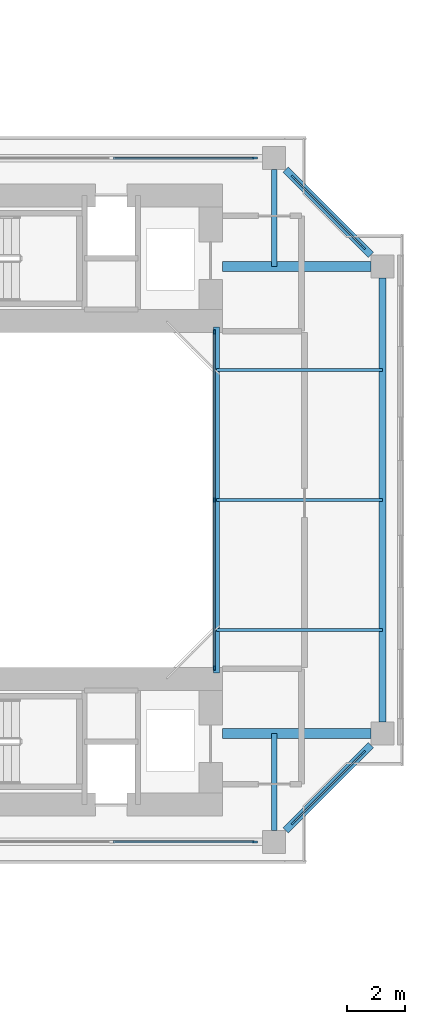
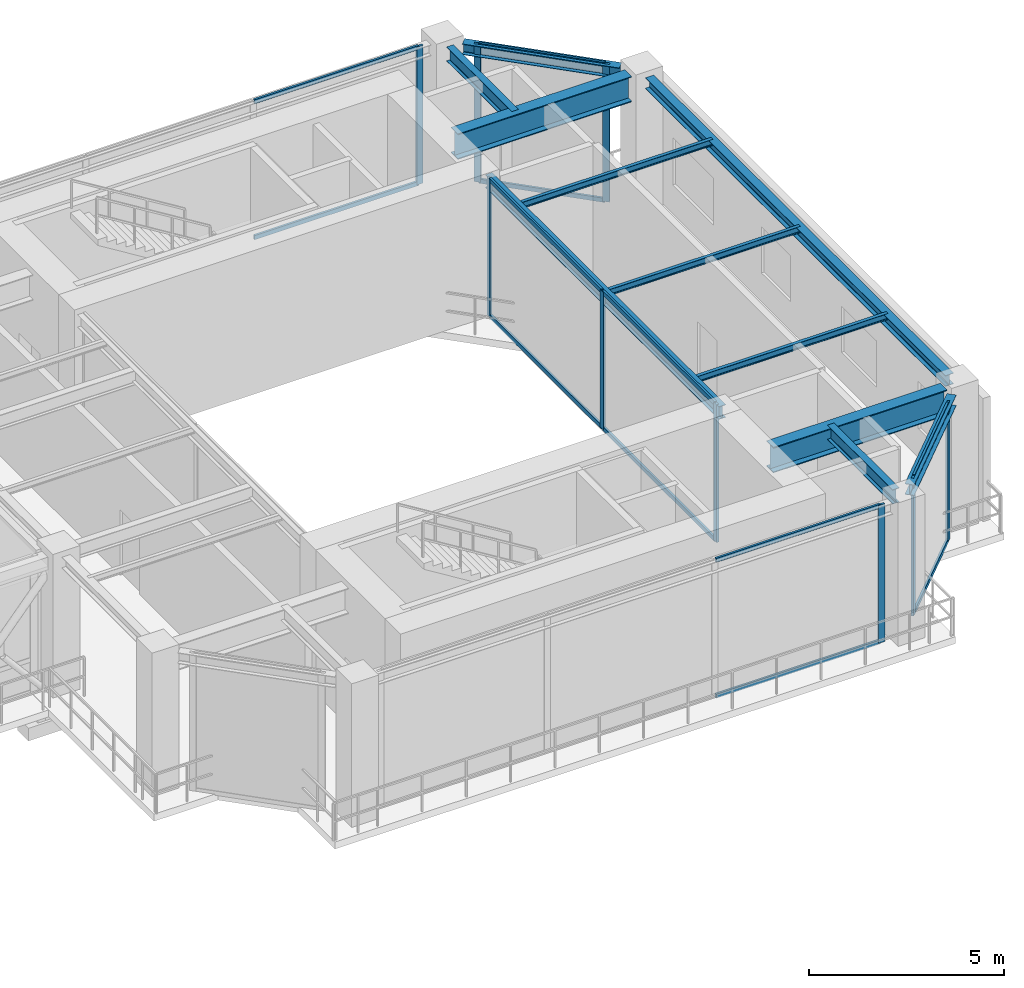
# One storey, part 10 of 25: 21 members, 11 beams, 5 elements without a shape of their own.
"""IFC4 building model written with IfcOpenShell, lengths in metres."""

from ifc_helpers import new_model, si_unit, direction, frame, origin, origin_2d, place, context, subcontext, project, spatial, rectangle, i_section, extrude, source, transform, mapped, material, layer, layer_set, material_profile, profile_set, type_object, element, aggregate, save


model = new_model("IFC4")

# Units and contexts
model_context = context("Model", 3, precision=1e-05, world=origin(), true_north=direction((0.0, 1.0)))
body_context = subcontext(model_context, "Body", "Model", "MODEL_VIEW")
ifc_project = project(units=[si_unit("LENGTHUNIT", "METRE"), si_unit("AREAUNIT", "SQUARE_METRE"), si_unit("VOLUMEUNIT", "CUBIC_METRE"), si_unit("PLANEANGLEUNIT", "RADIAN"), si_unit("MASSUNIT", "GRAM", prefix="KILO"), si_unit("THERMODYNAMICTEMPERATUREUNIT", "KELVIN"), si_unit("POWERUNIT", "WATT")], contexts=[model_context])

# Site, building, storey
site_placement = place(None, origin())
site = spatial("IfcSite", under=ifc_project, at=site_placement, CompositionType="ELEMENT")
building_placement = place(site_placement, origin())
building = spatial("IfcBuilding", under=site, at=building_placement, Name="Qiaomeng Ring Towers", CompositionType="ELEMENT")
storey_placement = place(building_placement, frame((0.0, 0.0, 92.5)))
storey = spatial("IfcBuildingStorey", under=building, at=storey_placement, Name="L26", CompositionType="ELEMENT", Elevation=92.5)

# Beams
ifc_material_1 = material(Name="Steel Q355B", Category="steel")
ifc_material_profile_1 = material_profile(ifc_material_1, i_section(OverallWidth=0.199951171875, OverallDepth=0.39990234375, WebThickness=0.008056640625, FlangeThickness=0.012939453125, FilletRadius=0.01611328125, at=origin_2d()), Name="HN 400x200x8x13")
ifc_profile_set_1 = profile_set([ifc_material_profile_1], Name="Steel Q355B")
beam_type_1 = type_object("IfcBeamType", Name="STR-BM-HN400", PredefinedType="SPANDREL", material=ifc_profile_set_1)
shared_shape_1 = source(origin(), body_context, "Body", "SweptSolid", [
    extrude(i_section(OverallWidth=0.199951171875, OverallDepth=0.39990234375, WebThickness=0.008056640625, FlangeThickness=0.012939453125, FilletRadius=0.01611328125, at=origin_2d()), origin(), (0.0, 0.0, 1.0), 12.0),
])
beam_1_placement = place(storey_placement, frame((66.60009765625, 17.0, 4.1201171875), z_axis=(0.0, 1.0, 0.0), x_axis=(-1.0, 0.0, 0.0)))
element("IfcBeam", 1, at=beam_1_placement, inside=storey, type_object=beam_type_1, Name="L26 beam STR-BM-L26-T2-WELL-E", PredefinedType="SPANDREL", context=body_context, shape_type="MappedRepresentation", body=[
    mapped(shared_shape_1, transform((0.0, 0.0, 0.0), x_axis=(1.0, 0.0, 0.0), y_axis=(0.0, 1.0, 0.0), z_axis=(0.0, 0.0, 1.0), scale=1.0)),
])
ifc_material_profile_2 = material_profile(ifc_material_1, i_section(OverallWidth=0.25, OverallDepth=0.340087890625, WebThickness=0.009033203125, FlangeThickness=0.013916015625, FilletRadius=0.02001953125, at=origin_2d()), Name="HM 340x250x9x14")
ifc_profile_set_2 = profile_set([ifc_material_profile_2], Name="Steel Q355B")
beam_type_2 = type_object("IfcBeamType", Name="STR-BM-HM340", PredefinedType="SPANDREL", material=ifc_profile_set_2)
shared_shape_2 = source(origin(), body_context, "Body", "SweptSolid", [
    extrude(i_section(OverallWidth=0.25, OverallDepth=0.340087890625, WebThickness=0.009033203125, FlangeThickness=0.013916015625, FilletRadius=0.02001953125, at=origin_2d()), origin(), (0.0, 0.0, 1.0), 15.40185546875),
])
beam_2_placement = place(storey_placement, frame((72.35009765625, 15.299072265625, 4.14990234375), z_axis=(0.0, 1.0, 0.0), x_axis=(-1.0, 0.0, 0.0)))
element("IfcBeam", 2, at=beam_2_placement, inside=storey, type_object=beam_type_2, Name="L26 beam STR-SP-L26-T2-E1-E2", PredefinedType="SPANDREL", context=body_context, shape_type="MappedRepresentation", body=[
    mapped(shared_shape_2, transform((0.0, 0.0, 0.0), x_axis=(1.0, 0.0, 0.0), y_axis=(0.0, 1.0, 0.0), z_axis=(0.0, 0.0, 1.0), scale=1.0)),
])
shared_shape_3 = source(origin(), body_context, "Body", "SweptSolid", [
    extrude(i_section(OverallWidth=0.25, OverallDepth=0.340087890625, WebThickness=0.009033203125, FlangeThickness=0.013916015625, FilletRadius=0.02001953125, at=origin_2d()), origin(), (0.0, 0.0, 1.0), 4.173828125),
])
for number, where, z_axis, x_axis, name in (
    (3, (68.999267578125, 11.54931640625, 4.14990234375), (0.707106781187, 0.707106781187, 0.0), (-0.707106781187, 0.707106781187, 0.0), "L26 beam STR-SP-L26-T2-S2-E1"),
    (4, (71.95068359375, 31.499267578125, 4.14990234375), (-0.707106781187, 0.707106781187, 0.0), (-0.707106781187, -0.707106781187, 0.0), "L26 beam STR-SP-L26-T2-E2-N2"),
):
    element("IfcBeam", number, at=place(storey_placement, frame(where, z_axis=z_axis, x_axis=x_axis)), inside=storey, type_object=beam_type_2, Name=name, PredefinedType="SPANDREL", context=body_context, shape_type="MappedRepresentation", body=[
        mapped(shared_shape_3, transform((0.0, 0.0, 0.0), x_axis=(1.0, 0.0, 0.0), y_axis=(0.0, 1.0, 0.0), z_axis=(0.0, 0.0, 1.0), scale=1.0)),
    ])
ifc_material_2 = material(Name="Steel Q390GJC", Category="steel")
ifc_material_profile_3 = material_profile(ifc_material_2, i_section(OverallWidth=0.35009765625, OverallDepth=0.800048828125, WebThickness=0.01611328125, FlangeThickness=0.028076171875, at=origin_2d()), Name="WH 800x350x16x28")
ifc_profile_set_3 = profile_set([ifc_material_profile_3], Name="Steel Q390GJC")
beam_type_3 = type_object("IfcBeamType", Name="STR-BM-WH800", PredefinedType="BEAM", material=ifc_profile_set_3)
shared_shape_4 = source(origin(), body_context, "Body", "SweptSolid", [
    extrude(i_section(OverallWidth=0.35009765625, OverallDepth=0.800048828125, WebThickness=0.01611328125, FlangeThickness=0.028076171875, at=origin_2d()), origin(), (0.0, 0.0, 1.0), 5.15087890625),
])
for number, where, z_axis, x_axis, name in (
    (5, (66.800048828125, 14.89990234375, 3.919921875), (1.0, 0.0, 0.0), (0.0, 1.0, 0.0), "L26 beam STR-BM-L26-T2-RAD-E1"),
    (6, (66.800048828125, 31.10009765625, 3.919921875), (1.0, 0.0, 0.0), (0.0, 1.0, 0.0), "L26 beam STR-BM-L26-T2-RAD-E2"),
):
    element("IfcBeam", number, at=place(storey_placement, frame(where, z_axis=z_axis, x_axis=x_axis)), inside=storey, type_object=beam_type_3, Name=name, PredefinedType="BEAM", context=body_context, shape_type="MappedRepresentation", body=[
        mapped(shared_shape_4, transform((0.0, 0.0, 0.0), x_axis=(1.0, 0.0, 0.0), y_axis=(0.0, 1.0, 0.0), z_axis=(0.0, 0.0, 1.0), scale=1.0)),
    ])
ifc_material_profile_4 = material_profile(ifc_material_1, i_section(OverallWidth=0.199951171875, OverallDepth=0.449951171875, WebThickness=0.009033203125, FlangeThickness=0.013916015625, FilletRadius=0.01806640625, at=origin_2d()), Name="HN 450x200x9x14")
ifc_profile_set_4 = profile_set([ifc_material_profile_4], Name="Steel Q355B")
beam_type_4 = type_object("IfcBeamType", Name="STR-BM-HN450", PredefinedType="SPANDREL", material=ifc_profile_set_4)
shared_shape_5 = source(origin(), body_context, "Body", "SweptSolid", [
    extrude(i_section(OverallWidth=0.199951171875, OverallDepth=0.449951171875, WebThickness=0.009033203125, FlangeThickness=0.013916015625, FilletRadius=0.01806640625, at=origin_2d()), origin(), (0.0, 0.0, 1.0), 3.350830078125),
])
for number, where, z_axis, x_axis, name in (
    (7, (68.60009765625, 34.450927734375, 4.094970703125), (0.0, -1.0, 0.0), (1.0, 0.0, 0.0), "L26 beam STR-BM-L26-T2-RAD-N2"),
    (8, (68.60009765625, 11.549072265625, 4.094970703125), (0.0, 1.0, 0.0), (-1.0, 0.0, 0.0), "L26 beam STR-BM-L26-T2-RAD-S2"),
):
    element("IfcBeam", number, at=place(storey_placement, frame(where, z_axis=z_axis, x_axis=x_axis)), inside=storey, type_object=beam_type_4, Name=name, PredefinedType="SPANDREL", context=body_context, shape_type="MappedRepresentation", body=[
        mapped(shared_shape_5, transform((0.0, 0.0, 0.0), x_axis=(1.0, 0.0, 0.0), y_axis=(0.0, 1.0, 0.0), z_axis=(0.0, 0.0, 1.0), scale=1.0)),
    ])
ifc_material_profile_5 = material_profile(ifc_material_1, i_section(OverallWidth=0.10009765625, OverallDepth=0.199951171875, WebThickness=0.005615234375, FlangeThickness=0.008056640625, FilletRadius=0.010986328125, at=origin_2d()), Name="HN 200x100x5.5x8")
ifc_profile_set_5 = profile_set([ifc_material_profile_5], Name="Steel Q355B")
beam_type_5 = type_object("IfcBeamType", Name="STR-BM-HN200", PredefinedType="JOIST", material=ifc_profile_set_5)
shared_shape_6 = source(origin(), body_context, "Body", "SweptSolid", [
    extrude(i_section(OverallWidth=0.10009765625, OverallDepth=0.199951171875, WebThickness=0.005615234375, FlangeThickness=0.008056640625, FilletRadius=0.010986328125, at=origin_2d()), origin(), (0.0, 0.0, 1.0), 5.75),
])
for number, where, z_axis, x_axis, name in (
    (9, (66.60009765625, 18.5, 4.219970703125), (1.0, 0.0, 0.0), (0.0, 1.0, 0.0), "L26 beam STR-JST-L26-T2E-1"),
    (10, (66.60009765625, 23.0, 4.219970703125), (1.0, 0.0, 0.0), (0.0, 1.0, 0.0), "L26 beam STR-JST-L26-T2E-2"),
    (11, (66.60009765625, 27.5, 4.219970703125), (1.0, 0.0, 0.0), (0.0, 1.0, 0.0), "L26 beam STR-JST-L26-T2E-3"),
):
    element("IfcBeam", number, at=place(storey_placement, frame(where, z_axis=z_axis, x_axis=x_axis)), inside=storey, type_object=beam_type_5, Name=name, PredefinedType="JOIST", context=body_context, shape_type="MappedRepresentation", body=[
        mapped(shared_shape_6, transform((0.0, 0.0, 0.0), x_axis=(1.0, 0.0, 0.0), y_axis=(0.0, 1.0, 0.0), z_axis=(0.0, 0.0, 1.0), scale=1.0)),
    ])

# Curtain wall, members
ifc_material_3 = material(Name="Fluorocarbon dark-grey aluminium", Category="aluminium")
ifc_layer_1 = layer(ifc_material_3, 0.139892578125, Name="Fluorocarbon dark-grey aluminium")
ifc_layer_set_1 = layer_set([ifc_layer_1], Name="Fluorocarbon dark-grey aluminium")
curtain_wall_type_1 = type_object("IfcCurtainWallType", Name="ARC-CW-4", PredefinedType="NOTDEFINED", material=ifc_layer_set_1)
curtain_wall_1_placement = place(storey_placement, origin())
curtain_wall_1 = element("IfcCurtainWall", 12, at=curtain_wall_1_placement, inside=storey, type_object=curtain_wall_type_1, Name="L26 Curtain Wall CW4", PredefinedType="NOTDEFINED")
ifc_material_profile_6 = material_profile(ifc_material_3, rectangle(XDim=0.06494140625, YDim=0.1298828125, at=origin_2d()), Name="ALU TRAN 65x130")
ifc_profile_set_6 = profile_set([ifc_material_profile_6], Name="Fluorocarbon dark-grey aluminium")
member_type_1 = type_object("IfcMemberType", Name="ARC-CWT-120", PredefinedType="USERDEFINED", material=ifc_profile_set_6)
shared_shape_7 = source(origin(), body_context, "Body", "SweptSolid", [
    extrude(rectangle(XDim=0.06494140625, YDim=0.1298828125, at=origin_2d()), origin(), (0.0, 0.0, 1.0), 5.75244140625),
])
member_1_placement = place(storey_placement, frame((66.52001953125, 17.215087890625, 0.032470703125), z_axis=(0.0, 1.0, 0.0), x_axis=(-1.0, 0.0, 0.0)))
member_1 = element("IfcMember", 13, at=member_1_placement, type_object=member_type_1, Name="CW4 transom 1.1", ObjectType="TRANSOM", PredefinedType="USERDEFINED", context=body_context, shape_type="MappedRepresentation", body=[
    mapped(shared_shape_7, transform((0.0, 0.0, 0.0), x_axis=(1.0, 0.0, 0.0), y_axis=(0.0, 1.0, 0.0), z_axis=(0.0, 0.0, 1.0), scale=1.0)),
])
member_2_placement = place(storey_placement, frame((66.52001953125, 17.215087890625, 4.28759765625), z_axis=(0.0, 1.0, 0.0), x_axis=(-1.0, 0.0, 0.0)))
member_2 = element("IfcMember", 14, at=member_2_placement, type_object=member_type_1, Name="CW4 transom 1.2", ObjectType="TRANSOM", PredefinedType="USERDEFINED", context=body_context, shape_type="MappedRepresentation", body=[
    mapped(shared_shape_7, transform((0.0, 0.0, 0.0), x_axis=(1.0, 0.0, 0.0), y_axis=(0.0, 1.0, 0.0), z_axis=(0.0, 0.0, 1.0), scale=1.0)),
])
member_3_placement = place(storey_placement, frame((66.52001953125, 23.032470703125, 0.032470703125), z_axis=(0.0, 1.0, 0.0), x_axis=(-1.0, 0.0, 0.0)))
member_3 = element("IfcMember", 15, at=member_3_placement, type_object=member_type_1, Name="CW4 transom 2.1", ObjectType="TRANSOM", PredefinedType="USERDEFINED", context=body_context, shape_type="MappedRepresentation", body=[
    mapped(shared_shape_7, transform((0.0, 0.0, 0.0), x_axis=(1.0, 0.0, 0.0), y_axis=(0.0, 1.0, 0.0), z_axis=(0.0, 0.0, 1.0), scale=1.0)),
])
member_4_placement = place(storey_placement, frame((66.52001953125, 23.032470703125, 4.28759765625), z_axis=(0.0, 1.0, 0.0), x_axis=(-1.0, 0.0, 0.0)))
member_4 = element("IfcMember", 16, at=member_4_placement, type_object=member_type_1, Name="CW4 transom 2.2", ObjectType="TRANSOM", PredefinedType="USERDEFINED", context=body_context, shape_type="MappedRepresentation", body=[
    mapped(shared_shape_7, transform((0.0, 0.0, 0.0), x_axis=(1.0, 0.0, 0.0), y_axis=(0.0, 1.0, 0.0), z_axis=(0.0, 0.0, 1.0), scale=1.0)),
])
ifc_material_profile_7 = material_profile(ifc_material_3, rectangle(XDim=0.06494140625, YDim=0.159912109375, at=origin_2d()), Name="ALU MULL 65x160")
ifc_profile_set_7 = profile_set([ifc_material_profile_7], Name="Fluorocarbon dark-grey aluminium")
member_type_2 = type_object("IfcMemberType", Name="ARC-CWM-140", PredefinedType="MULLION", material=ifc_profile_set_7)
shared_shape_8 = source(origin(), body_context, "Body", "SweptSolid", [
    extrude(rectangle(XDim=0.06494140625, YDim=0.159912109375, at=origin_2d()), origin(), (0.0, 0.0, 1.0), 4.320068359375),
])
member_5_placement = place(storey_placement, frame((66.52001953125, 17.1826171875, 0.0), z_axis=(0.0, 0.0, 1.0), x_axis=(-1.0, 0.0, 0.0)))
member_5 = element("IfcMember", 17, at=member_5_placement, type_object=member_type_2, Name="CW4 mullion 1", PredefinedType="MULLION", context=body_context, shape_type="MappedRepresentation", body=[
    mapped(shared_shape_8, transform((0.0, 0.0, 0.0), x_axis=(1.0, 0.0, 0.0), y_axis=(0.0, 1.0, 0.0), z_axis=(0.0, 0.0, 1.0), scale=1.0)),
])
member_6_placement = place(storey_placement, frame((66.52001953125, 23.0, 0.0), z_axis=(0.0, 0.0, 1.0), x_axis=(-1.0, 0.0, 0.0)))
member_6 = element("IfcMember", 18, at=member_6_placement, type_object=member_type_2, Name="CW4 mullion 2", PredefinedType="MULLION", context=body_context, shape_type="MappedRepresentation", body=[
    mapped(shared_shape_8, transform((0.0, 0.0, 0.0), x_axis=(1.0, 0.0, 0.0), y_axis=(0.0, 1.0, 0.0), z_axis=(0.0, 0.0, 1.0), scale=1.0)),
])
member_7_placement = place(storey_placement, frame((66.52001953125, 28.8173828125, 0.0), z_axis=(0.0, 0.0, 1.0), x_axis=(-1.0, 0.0, 0.0)))
member_7 = element("IfcMember", 19, at=member_7_placement, type_object=member_type_2, Name="CW4 mullion 3", PredefinedType="MULLION", context=body_context, shape_type="MappedRepresentation", body=[
    mapped(shared_shape_8, transform((0.0, 0.0, 0.0), x_axis=(1.0, 0.0, 0.0), y_axis=(0.0, 1.0, 0.0), z_axis=(0.0, 0.0, 1.0), scale=1.0)),
])
aggregate(curtain_wall_1, [member_5, member_6, member_7, member_1, member_2, member_3, member_4])

# Curtain wall, member
ifc_layer_2 = layer(ifc_material_3, 0.14990234375, Name="Fluorocarbon dark-grey aluminium")
ifc_layer_set_2 = layer_set([ifc_layer_2], Name="Fluorocarbon dark-grey aluminium")
curtain_wall_type_2 = type_object("IfcCurtainWallType", Name="ARC-CW-5", PredefinedType="NOTDEFINED", material=ifc_layer_set_2)
curtain_wall_2_placement = place(storey_placement, origin())
curtain_wall_2 = element("IfcCurtainWall", 20, at=curtain_wall_2_placement, inside=storey, type_object=curtain_wall_type_2, Name="L26 Curtain Wall CW5", PredefinedType="NOTDEFINED")
ifc_material_profile_8 = material_profile(ifc_material_3, rectangle(XDim=0.070068359375, YDim=0.179931640625, at=origin_2d()), Name="ALU MULL 70x180")
ifc_profile_set_8 = profile_set([ifc_material_profile_8], Name="Fluorocarbon dark-grey aluminium")
member_type_3 = type_object("IfcMemberType", Name="ARC-CWM-160", PredefinedType="MULLION", material=ifc_profile_set_8)
shared_shape_9 = source(origin(), body_context, "Body", "SweptSolid", [
    extrude(rectangle(XDim=0.070068359375, YDim=0.179931640625, at=origin_2d()), origin(), (0.0, 0.0, 1.0), 4.320068359375),
])
member_8_placement = place(storey_placement, frame((67.925048828125, 34.85009765625, 0.0), z_axis=(0.0, 0.0, 1.0), x_axis=(0.0, 1.0, 0.0)))
member_8 = element("IfcMember", 21, at=member_8_placement, type_object=member_type_3, Name="CW5 mullion 4", PredefinedType="MULLION", context=body_context, shape_type="MappedRepresentation", body=[
    mapped(shared_shape_9, transform((0.0, 0.0, 0.0), x_axis=(1.0, 0.0, 0.0), y_axis=(0.0, 1.0, 0.0), z_axis=(0.0, 0.0, 1.0), scale=1.0)),
])

# Curtain wall, members
curtain_wall_3_placement = place(storey_placement, origin())
curtain_wall_3 = element("IfcCurtainWall", 22, at=curtain_wall_3_placement, inside=storey, type_object=curtain_wall_type_2, Name="L26 Curtain Wall CW5", PredefinedType="NOTDEFINED")
member_9_placement = place(storey_placement, frame((69.2646484375, 11.814697265625, 0.0), z_axis=(0.0, 0.0, 1.0), x_axis=(-0.707106781187, 0.707106781187, 0.0)))
member_9 = element("IfcMember", 23, at=member_9_placement, type_object=member_type_3, Name="CW5 mullion 1", PredefinedType="MULLION", context=body_context, shape_type="MappedRepresentation", body=[
    mapped(shared_shape_9, transform((0.0, 0.0, 0.0), x_axis=(1.0, 0.0, 0.0), y_axis=(0.0, 1.0, 0.0), z_axis=(0.0, 0.0, 1.0), scale=1.0)),
])
member_10_placement = place(storey_placement, frame((71.685302734375, 14.2353515625, 0.0), z_axis=(0.0, 0.0, 1.0), x_axis=(-0.707106781187, 0.707106781187, 0.0)))
member_10 = element("IfcMember", 24, at=member_10_placement, type_object=member_type_3, Name="CW5 mullion 2", PredefinedType="MULLION", context=body_context, shape_type="MappedRepresentation", body=[
    mapped(shared_shape_9, transform((0.0, 0.0, 0.0), x_axis=(1.0, 0.0, 0.0), y_axis=(0.0, 1.0, 0.0), z_axis=(0.0, 0.0, 1.0), scale=1.0)),
])

curtain_wall_4_placement = place(storey_placement, origin())
curtain_wall_4 = element("IfcCurtainWall", 25, at=curtain_wall_4_placement, inside=storey, type_object=curtain_wall_type_2, Name="L26 Curtain Wall CW5", PredefinedType="NOTDEFINED")
member_11_placement = place(storey_placement, frame((71.685302734375, 31.7646484375, 0.0), z_axis=(0.0, 0.0, 1.0), x_axis=(-0.707106781187, -0.707106781187, 0.0)))
member_11 = element("IfcMember", 26, at=member_11_placement, type_object=member_type_3, Name="CW5 mullion 1", PredefinedType="MULLION", context=body_context, shape_type="MappedRepresentation", body=[
    mapped(shared_shape_9, transform((0.0, 0.0, 0.0), x_axis=(1.0, 0.0, 0.0), y_axis=(0.0, 1.0, 0.0), z_axis=(0.0, 0.0, 1.0), scale=1.0)),
])
member_12_placement = place(storey_placement, frame((69.2646484375, 34.185302734375, 0.0), z_axis=(0.0, 0.0, 1.0), x_axis=(-0.707106781187, -0.707106781187, 0.0)))
member_12 = element("IfcMember", 27, at=member_12_placement, type_object=member_type_3, Name="CW5 mullion 2", PredefinedType="MULLION", context=body_context, shape_type="MappedRepresentation", body=[
    mapped(shared_shape_9, transform((0.0, 0.0, 0.0), x_axis=(1.0, 0.0, 0.0), y_axis=(0.0, 1.0, 0.0), z_axis=(0.0, 0.0, 1.0), scale=1.0)),
])

# Curtain wall, member
curtain_wall_5_placement = place(storey_placement, origin())
curtain_wall_5 = element("IfcCurtainWall", 28, at=curtain_wall_5_placement, inside=storey, type_object=curtain_wall_type_2, Name="L26 Curtain Wall CW5", PredefinedType="NOTDEFINED")
member_13_placement = place(storey_placement, frame((67.925048828125, 11.14990234375, 0.0), z_axis=(0.0, 0.0, 1.0), x_axis=(0.0, 1.0, 0.0)))
member_13 = element("IfcMember", 29, at=member_13_placement, type_object=member_type_3, Name="CW5 mullion 4", PredefinedType="MULLION", context=body_context, shape_type="MappedRepresentation", body=[
    mapped(shared_shape_9, transform((0.0, 0.0, 0.0), x_axis=(1.0, 0.0, 0.0), y_axis=(0.0, 1.0, 0.0), z_axis=(0.0, 0.0, 1.0), scale=1.0)),
])

# Member
shared_shape_10 = source(origin(), body_context, "Body", "SweptSolid", [
    extrude(rectangle(XDim=0.06494140625, YDim=0.1298828125, at=origin_2d()), origin(), (0.0, 0.0, 1.0), 4.8681640625),
])
member_14_placement = place(storey_placement, frame((63.021728515625, 34.85009765625, 0.032470703125), z_axis=(1.0, 0.0, 0.0), x_axis=(0.0, 1.0, 0.0)))
member_14 = element("IfcMember", 30, at=member_14_placement, type_object=member_type_1, Name="CW5 transom 3.1", ObjectType="TRANSOM", PredefinedType="USERDEFINED", context=body_context, shape_type="MappedRepresentation", body=[
    mapped(shared_shape_10, transform((0.0, 0.0, 0.0), x_axis=(1.0, 0.0, 0.0), y_axis=(0.0, 1.0, 0.0), z_axis=(0.0, 0.0, 1.0), scale=1.0)),
])

member_15_placement = place(storey_placement, frame((63.021728515625, 34.85009765625, 4.28759765625), z_axis=(1.0, 0.0, 0.0), x_axis=(0.0, 1.0, 0.0)))
member_15 = element("IfcMember", 31, at=member_15_placement, type_object=member_type_1, Name="CW5 transom 3.2", ObjectType="TRANSOM", PredefinedType="USERDEFINED", context=body_context, shape_type="MappedRepresentation", body=[
    mapped(shared_shape_10, transform((0.0, 0.0, 0.0), x_axis=(1.0, 0.0, 0.0), y_axis=(0.0, 1.0, 0.0), z_axis=(0.0, 0.0, 1.0), scale=1.0)),
])

aggregate(curtain_wall_2, [member_8, member_14, member_15])

member_16_placement = place(storey_placement, frame((63.021728515625, 11.14990234375, 0.032470703125), z_axis=(1.0, 0.0, 0.0), x_axis=(0.0, 1.0, 0.0)))
member_16 = element("IfcMember", 32, at=member_16_placement, type_object=member_type_1, Name="CW5 transom 3.1", ObjectType="TRANSOM", PredefinedType="USERDEFINED", context=body_context, shape_type="MappedRepresentation", body=[
    mapped(shared_shape_10, transform((0.0, 0.0, 0.0), x_axis=(1.0, 0.0, 0.0), y_axis=(0.0, 1.0, 0.0), z_axis=(0.0, 0.0, 1.0), scale=1.0)),
])

member_17_placement = place(storey_placement, frame((63.021728515625, 11.14990234375, 4.28759765625), z_axis=(1.0, 0.0, 0.0), x_axis=(0.0, 1.0, 0.0)))
member_17 = element("IfcMember", 33, at=member_17_placement, type_object=member_type_1, Name="CW5 transom 3.2", ObjectType="TRANSOM", PredefinedType="USERDEFINED", context=body_context, shape_type="MappedRepresentation", body=[
    mapped(shared_shape_10, transform((0.0, 0.0, 0.0), x_axis=(1.0, 0.0, 0.0), y_axis=(0.0, 1.0, 0.0), z_axis=(0.0, 0.0, 1.0), scale=1.0)),
])

aggregate(curtain_wall_5, [member_13, member_16, member_17])

shared_shape_11 = source(origin(), body_context, "Body", "SweptSolid", [
    extrude(rectangle(XDim=0.06494140625, YDim=0.1298828125, at=origin_2d()), origin(), (0.0, 0.0, 1.0), 3.352783203125),
])
member_18_placement = place(storey_placement, frame((69.28955078125, 11.839599609375, 0.032470703125), z_axis=(0.707106781187, 0.707106781187, 0.0), x_axis=(-0.707106781187, 0.707106781187, 0.0)))
member_18 = element("IfcMember", 34, at=member_18_placement, type_object=member_type_1, Name="CW5 transom 1.1", ObjectType="TRANSOM", PredefinedType="USERDEFINED", context=body_context, shape_type="MappedRepresentation", body=[
    mapped(shared_shape_11, transform((0.0, 0.0, 0.0), x_axis=(1.0, 0.0, 0.0), y_axis=(0.0, 1.0, 0.0), z_axis=(0.0, 0.0, 1.0), scale=1.0)),
])

member_19_placement = place(storey_placement, frame((69.28955078125, 11.839599609375, 4.28759765625), z_axis=(0.707106781187, 0.707106781187, 0.0), x_axis=(-0.707106781187, 0.707106781187, 0.0)))
member_19 = element("IfcMember", 35, at=member_19_placement, type_object=member_type_1, Name="CW5 transom 1.2", ObjectType="TRANSOM", PredefinedType="USERDEFINED", context=body_context, shape_type="MappedRepresentation", body=[
    mapped(shared_shape_11, transform((0.0, 0.0, 0.0), x_axis=(1.0, 0.0, 0.0), y_axis=(0.0, 1.0, 0.0), z_axis=(0.0, 0.0, 1.0), scale=1.0)),
])

aggregate(curtain_wall_3, [member_9, member_10, member_18, member_19])

member_20_placement = place(storey_placement, frame((71.660400390625, 31.78955078125, 0.032470703125), z_axis=(-0.707106781187, 0.707106781187, 0.0), x_axis=(-0.707106781187, -0.707106781187, 0.0)))
member_20 = element("IfcMember", 36, at=member_20_placement, type_object=member_type_1, Name="CW5 transom 1.1", ObjectType="TRANSOM", PredefinedType="USERDEFINED", context=body_context, shape_type="MappedRepresentation", body=[
    mapped(shared_shape_11, transform((0.0, 0.0, 0.0), x_axis=(1.0, 0.0, 0.0), y_axis=(0.0, 1.0, 0.0), z_axis=(0.0, 0.0, 1.0), scale=1.0)),
])

member_21_placement = place(storey_placement, frame((71.660400390625, 31.78955078125, 4.28759765625), z_axis=(-0.707106781187, 0.707106781187, 0.0), x_axis=(-0.707106781187, -0.707106781187, 0.0)))
member_21 = element("IfcMember", 37, at=member_21_placement, type_object=member_type_1, Name="CW5 transom 1.2", ObjectType="TRANSOM", PredefinedType="USERDEFINED", context=body_context, shape_type="MappedRepresentation", body=[
    mapped(shared_shape_11, transform((0.0, 0.0, 0.0), x_axis=(1.0, 0.0, 0.0), y_axis=(0.0, 1.0, 0.0), z_axis=(0.0, 0.0, 1.0), scale=1.0)),
])

aggregate(curtain_wall_4, [member_11, member_12, member_20, member_21])

save(model, "model.ifc")
